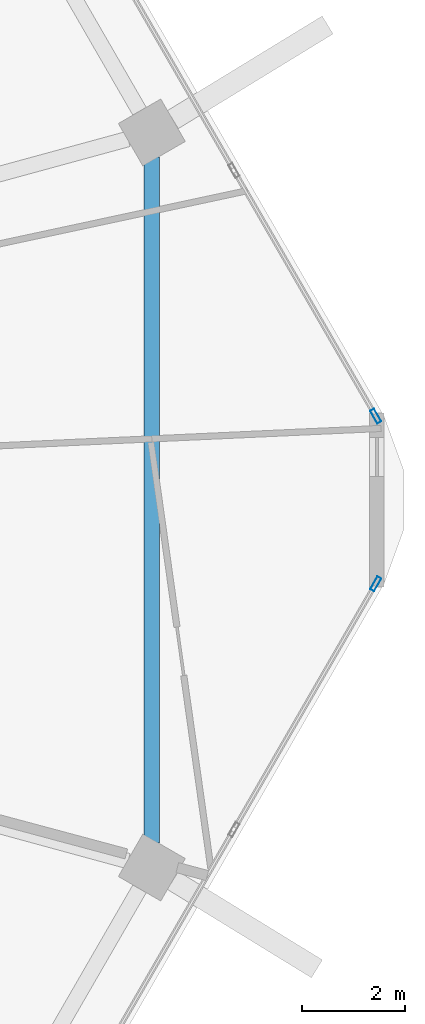
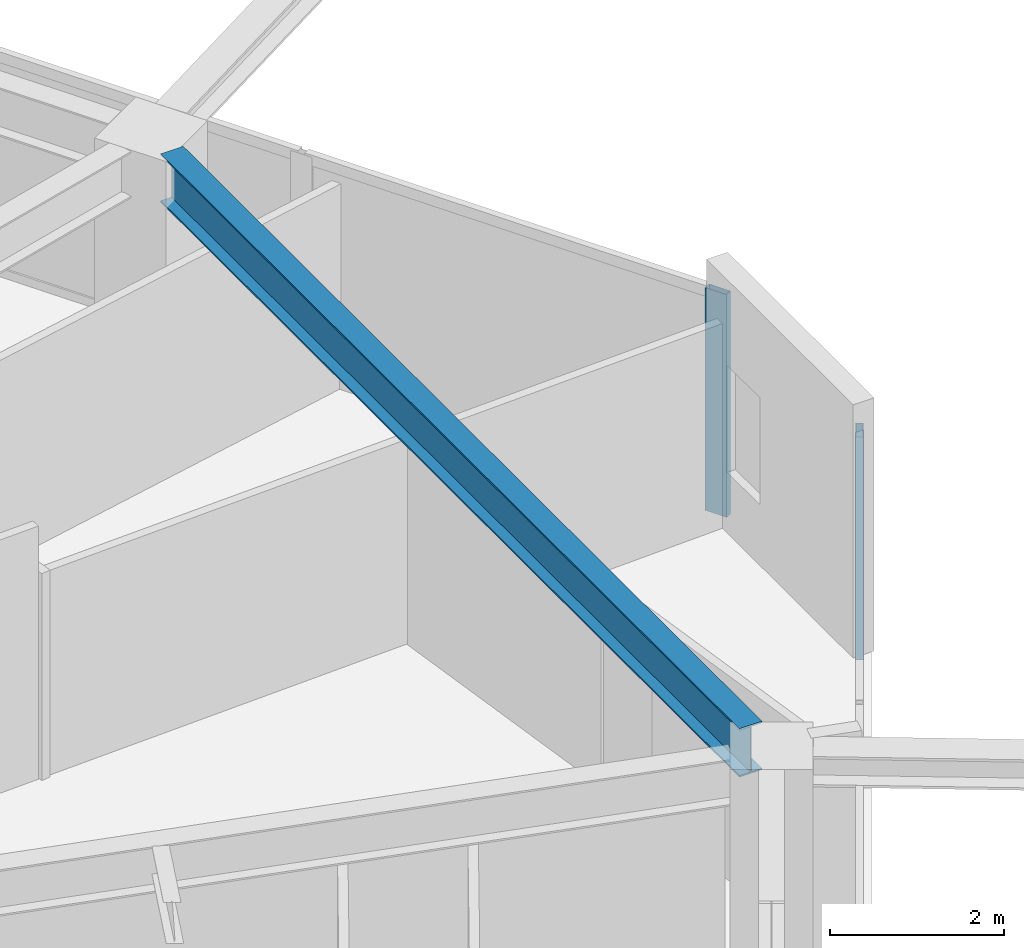
# One storey, part 10 of 25: 2 members, 1 beam, 2 elements without a shape of their own.
"""IFC4 building model written with IfcOpenShell, lengths in metres."""

from ifc_helpers import new_model, si_unit, direction, frame, origin, origin_2d, place, context, subcontext, project, spatial, hollow_rectangle, i_section, extrude, material, material_profile, profile_set, type_object, element, aggregate, save


model = new_model("IFC4")

# Units and contexts
model_context = context("Model", 3, precision=1e-05, world=origin(), true_north=direction((0.0, 1.0)))
body_context = subcontext(model_context, "Body", "Model", "MODEL_VIEW")
ifc_project = project(units=[si_unit("LENGTHUNIT", "METRE"), si_unit("AREAUNIT", "SQUARE_METRE"), si_unit("VOLUMEUNIT", "CUBIC_METRE"), si_unit("PLANEANGLEUNIT", "RADIAN"), si_unit("MASSUNIT", "GRAM", prefix="KILO")], contexts=[model_context])

# Site, building, storey
site_placement = place(None, origin())
site = spatial("IfcSite", under=ifc_project, at=site_placement, CompositionType="ELEMENT")
building_placement = place(site_placement, origin())
building = spatial("IfcBuilding", under=site, at=building_placement, Name="Zuhravey Tower", CompositionType="ELEMENT")
storey_placement = place(building_placement, frame((0.0, 0.0, 196.0)))
storey = spatial("IfcBuildingStorey", under=building, at=storey_placement, Name="L49", CompositionType="ELEMENT", Elevation=196.0)

# Curtain wall, member
ifc_material_1 = material(Name="Thermally broken anodised aluminium", Category="aluminium")
curtain_wall_type = type_object("IfcCurtainWallType", Name="Zone 1-2 Residential Curtain Wall CW3", PredefinedType="NOTDEFINED", material=ifc_material_1)
curtain_wall_1_placement = place(storey_placement, origin())
curtain_wall_1 = element("IfcCurtainWall", 1, at=curtain_wall_1_placement, inside=storey, type_object=curtain_wall_type, Name="L49 CW3 CW-L49-F6-1", PredefinedType="NOTDEFINED")
ifc_material_2 = material(Name="Anodised aluminium", Category="aluminium")
ifc_material_profile_1 = material_profile(ifc_material_2, hollow_rectangle(XDim=0.090087890625, YDim=0.284912109375, WallThickness=0.0048828125, at=origin_2d()), Name="ALU-RHS-90x285x5")
ifc_profile_set_1 = profile_set([ifc_material_profile_1], Name="Anodised aluminium")
member_type = type_object("IfcMemberType", Name="Curtain-Wall Mullion 90x180", PredefinedType="MULLION", material=ifc_profile_set_1)
member_1_placement = place(storey_placement, frame((66.44921875, 30.37353515625, 0.0), z_axis=(0.0, 0.0, 1.0), x_axis=(0.866025138215, -0.500000459979, 0.0)))
member_1 = element("IfcMember", 2, at=member_1_placement, type_object=member_type, Name="CW3 mullion 1", PredefinedType="MULLION", context=body_context, shape_type="SweptSolid", body=[
    extrude(hollow_rectangle(XDim=0.090087890625, YDim=0.284912109375, WallThickness=0.0048828125, at=origin_2d()), origin(), (0.0, 0.0, 1.0), 3.1220703125),
])
aggregate(curtain_wall_1, [member_1])

curtain_wall_2_placement = place(storey_placement, origin())
curtain_wall_2 = element("IfcCurtainWall", 3, at=curtain_wall_2_placement, inside=storey, type_object=curtain_wall_type, Name="L49 CW3 CW-L49-F1-1", PredefinedType="NOTDEFINED")
member_2_placement = place(storey_placement, frame((66.44921875, 33.62646484375, 0.0), z_axis=(0.0, 0.0, 1.0), x_axis=(0.866025138215, 0.500000459979, 0.0)))
member_2 = element("IfcMember", 4, at=member_2_placement, type_object=member_type, Name="CW3 mullion 6", PredefinedType="MULLION", context=body_context, shape_type="SweptSolid", body=[
    extrude(hollow_rectangle(XDim=0.090087890625, YDim=0.284912109375, WallThickness=0.0048828125, at=origin_2d()), origin(), (0.0, 0.0, 1.0), 3.1220703125),
])
aggregate(curtain_wall_2, [member_2])

# Beam
ifc_material_3 = material(Name="Steel SM355", Category="steel")
ifc_material_profile_2 = material_profile(ifc_material_3, i_section(OverallWidth=0.300048828125, OverallDepth=0.679931640625, WebThickness=0.012939453125, FlangeThickness=0.02197265625, at=origin_2d()), Name="H-680x300x13x22")
ifc_profile_set_2 = profile_set([ifc_material_profile_2], Name="Steel SM355")
beam_type = type_object("IfcBeamType", Name="Perimeter Ring Beam H680x300", PredefinedType="BEAM", material=ifc_profile_set_2)
beam_placement = place(storey_placement, frame((62.107666015625, 25.3515625, 3.2099609375), z_axis=(0.0, 1.0, 0.0), x_axis=(-1.0, 0.0, 0.0)))
element("IfcBeam", 5, at=beam_placement, inside=storey, type_object=beam_type, Name="L49 PB2 BM-L49-PB-12", PredefinedType="BEAM", context=body_context, shape_type="SweptSolid", body=[
    extrude(i_section(OverallWidth=0.300048828125, OverallDepth=0.679931640625, WebThickness=0.012939453125, FlangeThickness=0.02197265625, at=origin_2d()), origin(), (0.0, 0.0, 1.0), 13.296875),
])

save(model, "model.ifc")
